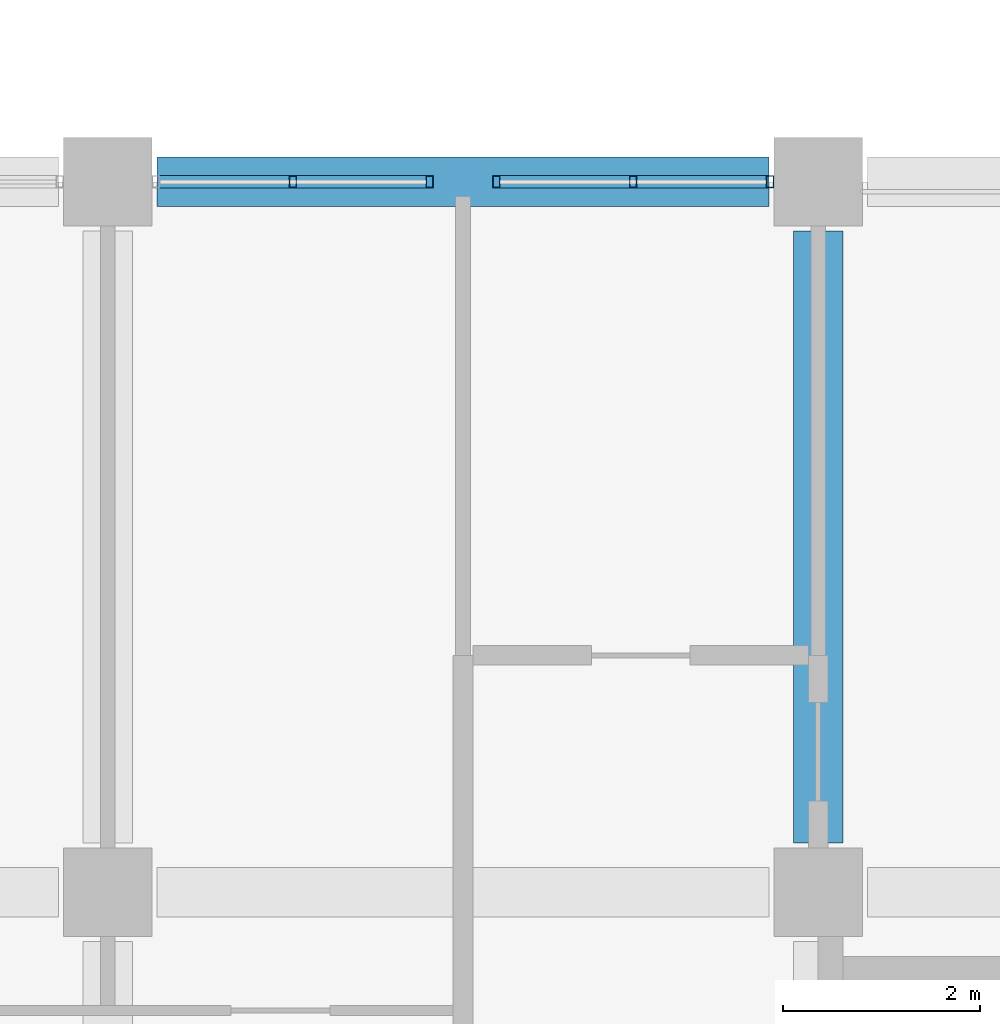
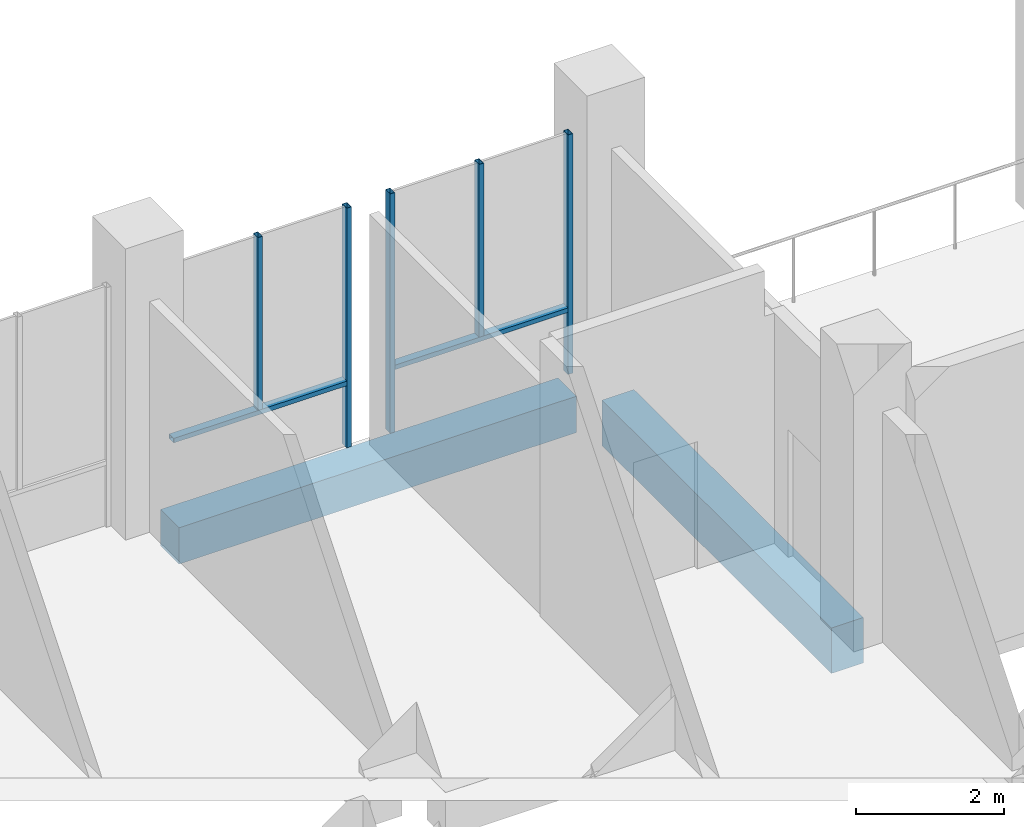
# One storey, part 5 of 40: 7 members, 2 beams, 2 elements without a shape of their own.
"""IFC4 building model written with IfcOpenShell, lengths in metres."""

import ifcopenshell
import ifcopenshell.guid

model = None  # the IFC model being written
_history = None  # IfcOwnerHistory: only IFC2X3 demands one
_inside = {}  # id of a spatial element -> (the spatial element, [elements in it])
_under = {}  # id of a project, library or spatial element -> (it, [spatial elements below it])
_declared = {}  # id of a project -> (the project, [libraries it declares])
_typed = {}  # id of a type object -> (the type object, [elements of that type])
_made_of = {}  # id of a material, layer set ... -> (it, [elements and type objects made of it])


def new_model(schema):
    """Start an empty IFC model of exactly this schema.

    Asked for "IFC4X3", IfcOpenShell would pick the latest addendum, in which some entities
    have other attributes; the version numbers below select the first issue.
    IFC2X3 requires an IfcOwnerHistory on every rooted entity: one is made here for all.
    """
    global model, _history
    if schema == "IFC4X3":
        model = ifcopenshell.file(schema_version=(4, 3, 0, 0))
    else:
        model = ifcopenshell.file(schema=schema)
    _inside.clear()
    _under.clear()
    _declared.clear()
    _typed.clear()
    _made_of.clear()
    _history = None
    if model.schema == "IFC2X3":
        org = make("IfcOrganization", Name="unknown")
        user = make(
            "IfcPersonAndOrganization",
            ThePerson=make("IfcPerson", FamilyName="unknown"),
            TheOrganization=org,
        )
        app = make(
            "IfcApplication",
            ApplicationDeveloper=org,
            Version="unknown",
            ApplicationFullName="unknown",
            ApplicationIdentifier="unknown",
        )
        _history = make(
            "IfcOwnerHistory",
            OwningUser=user,
            OwningApplication=app,
            ChangeAction="ADDED",
            CreationDate=0,
        )
    return model


def make(cls, **values):
    """One entity of the class cls with the attributes given. An attribute that is None is left unset."""
    return model.create_entity(
        cls, **{name: value for name, value in values.items() if value is not None}
    )


def rooted(cls, **values):
    """An entity with a GlobalId (a new one), such as an element, a storey or a relation."""
    return make(cls, GlobalId=ifcopenshell.guid.new(), OwnerHistory=_history, **values)


def si_unit(unit_type, name, prefix=None):
    """IfcSIUnit, for example si_unit("LENGTHUNIT", "METRE", prefix="MILLI")."""
    return make("IfcSIUnit", UnitType=unit_type, Prefix=prefix, Name=name)


def assignment(units):
    """IfcUnitAssignment: the units of a project."""
    return None if units is None else make("IfcUnitAssignment", Units=units)


def point(xyz):
    """IfcCartesianPoint."""
    return None if xyz is None else make("IfcCartesianPoint", Coordinates=xyz)


def direction(xyz):
    """IfcDirection."""
    return None if xyz is None else make("IfcDirection", DirectionRatios=xyz)


def frame(location, z_axis=None, x_axis=None):
    """IfcAxis2Placement3D, a coordinate frame: its origin and axes. An axis left out is left unset."""
    return make(
        "IfcAxis2Placement3D",
        Location=point(location),
        Axis=direction(z_axis),
        RefDirection=direction(x_axis),
    )


def frame_2d(location, x_axis=None):
    """IfcAxis2Placement2D, a coordinate frame in the plane: its origin and x axis."""
    return make(
        "IfcAxis2Placement2D", Location=point(location), RefDirection=direction(x_axis)
    )


def origin():
    """The frame at (0, 0, 0) with its axes left unset."""
    return frame((0.0, 0.0, 0.0))


def origin_2d():
    """The frame at (0, 0) in the plane with its x axis left unset."""
    return frame_2d((0.0, 0.0))


def place(relative_to, where):
    """IfcLocalPlacement: puts the frame where relative to a parent placement (None: the world)."""
    return make(
        "IfcLocalPlacement", PlacementRelTo=relative_to, RelativePlacement=where
    )


def context(
    kind, dimensions, precision=None, world=None, true_north=None, identifier=None
):
    """IfcGeometricRepresentationContext, for example the 3D "Model" context."""
    return make(
        "IfcGeometricRepresentationContext",
        ContextIdentifier=identifier,
        ContextType=kind,
        CoordinateSpaceDimension=dimensions,
        Precision=precision,
        WorldCoordinateSystem=world,
        TrueNorth=true_north,
    )


def subcontext(parent, identifier, kind, view, scale=None):
    """IfcGeometricRepresentationSubContext, for example "Body" below "Model"."""
    return make(
        "IfcGeometricRepresentationSubContext",
        ContextIdentifier=identifier,
        ContextType=kind,
        ParentContext=parent,
        TargetScale=scale,
        TargetView=view,
    )


def project(units=None, contexts=None):
    """IfcProject with its units and contexts."""
    return rooted(
        "IfcProject",
        Name="project",
        RepresentationContexts=contexts,
        UnitsInContext=assignment(units),
    )


def spatial(cls, under=None, at=None, **own):
    """A site, building, storey or space (cls), placed at a placement, below another one or the project."""
    s = rooted(cls, ObjectPlacement=at, **own)
    if under is not None:
        _under.setdefault(under.id(), (under, []))[1].append(s)
    return s


def profile(cls, at=None, kind="AREA", **sizes):
    """A parametric profile (cls). Its sizes go by their IFC names, for example OverallWidth=200.0."""
    return make(cls, ProfileType=kind, Position=at, **sizes)


def rectangle(**sizes):
    """IfcRectangleProfileDef."""
    return profile("IfcRectangleProfileDef", **sizes)


def hollow_rectangle(**sizes):
    """IfcRectangleHollowProfileDef."""
    return profile("IfcRectangleHollowProfileDef", **sizes)


def extrude(swept, where, along, depth):
    """IfcExtrudedAreaSolid: the profile swept, set in the frame where, extruded along a direction by depth."""
    return make(
        "IfcExtrudedAreaSolid",
        SweptArea=swept,
        Position=where,
        ExtrudedDirection=direction(along),
        Depth=depth,
    )


def shape(context_of_items, identifier, shape_type, items):
    """IfcShapeRepresentation: the items that make up one representation, for example the "Body"."""
    return make(
        "IfcShapeRepresentation",
        ContextOfItems=context_of_items,
        RepresentationIdentifier=identifier,
        RepresentationType=shape_type,
        Items=items,
    )


def material(Name=None, Category=None):
    """IfcMaterial."""
    return make("IfcMaterial", Name=Name, Category=Category)


def material_profile(
    of_material, cross_section, Name=None, Category=None, Priority=None
):
    """IfcMaterialProfile: a cross section and its material."""
    return make(
        "IfcMaterialProfile",
        Name=Name,
        Material=of_material,
        Profile=cross_section,
        Priority=Priority,
        Category=Category,
    )


def profile_set(profiles, Name=None, composite=None):
    """IfcMaterialProfileSet."""
    return make(
        "IfcMaterialProfileSet",
        Name=Name,
        MaterialProfiles=profiles,
        CompositeProfile=composite,
    )


def made_of(thing, what):
    """Note that an element or type object is made of a material, layer set ...; save() writes the relation."""
    if what is not None:
        _made_of.setdefault(what.id(), (what, []))[1].append(thing)
    return thing


def type_object(cls, material=None, **own):
    """A type object (cls), such as IfcWallType, which elements share."""
    return made_of(rooted(cls, **own), material)


def element(
    cls,
    number,
    at=None,
    inside=None,
    cuts=None,
    type_object=None,
    material=None,
    context=None,
    identifier="Body",
    shape_type=None,
    held_by="IfcProductDefinitionShape",
    body=None,
    shapes=None,
    **own,
):
    """One element of the class cls, such as IfcWall. Its Tag is "e" and its number.

    at: its placement. inside: the storey or other place that contains it. cuts: it is an
    opening in that element (IfcRelVoidsElement). A single representation is given by context,
    identifier, shape_type and body (its items); several are given by shapes. held_by: the class
    of the entity that holds the representations. save() writes the other relations.
    """
    e = rooted(cls, Tag="e%d" % number, ObjectPlacement=at, **own)
    if body is not None:
        shapes = [shape(context, identifier, shape_type, body)]
    if shapes is not None:
        e.Representation = make(held_by, Representations=shapes)
    if inside is not None:
        _inside.setdefault(inside.id(), (inside, []))[1].append(e)
    if cuts is not None:
        rooted(
            "IfcRelVoidsElement", RelatingBuildingElement=cuts, RelatedOpeningElement=e
        )
    if type_object is not None:
        _typed.setdefault(type_object.id(), (type_object, []))[1].append(e)
    return made_of(e, material)


def aggregate(whole, parts):
    """IfcRelAggregates: a whole, such as a stair, and the parts it consists of."""
    return rooted("IfcRelAggregates", RelatingObject=whole, RelatedObjects=parts)


def save(model, path):
    """Write the relations noted so far, then the file.

    IfcRelAggregates (storeys below a building ...), IfcRelContainedInSpatialStructure (elements
    in a storey), IfcRelDefinesByType, IfcRelAssociatesMaterial and IfcRelDeclares: one each for
    every whole, place, type object, material and project.
    """
    for whole, parts in _under.values():
        aggregate(whole, parts)
    for where, things in _inside.values():
        rooted(
            "IfcRelContainedInSpatialStructure",
            RelatedElements=things,
            RelatingStructure=where,
        )
    for kind, things in _typed.values():
        rooted("IfcRelDefinesByType", RelatedObjects=things, RelatingType=kind)
    for what, things in _made_of.values():
        rooted("IfcRelAssociatesMaterial", RelatedObjects=things, RelatingMaterial=what)
    for by, libraries in _declared.values():
        rooted("IfcRelDeclares", RelatingContext=by, RelatedDefinitions=libraries)
    model.write(path)


model = new_model("IFC4")

# Units and contexts
model_context = context("Model", 3, precision=1e-05, world=origin(), true_north=direction((0.0, 1.0)))
body_context = subcontext(model_context, "Body", "Model", "MODEL_VIEW")
ifc_project = project(units=[si_unit("LENGTHUNIT", "METRE"), si_unit("AREAUNIT", "SQUARE_METRE"), si_unit("VOLUMEUNIT", "CUBIC_METRE"), si_unit("PLANEANGLEUNIT", "RADIAN"), si_unit("MASSUNIT", "GRAM", prefix="KILO")], contexts=[model_context])

# Site, building, storey
site_placement = place(None, origin())
site = spatial("IfcSite", under=ifc_project, at=site_placement, CompositionType="ELEMENT")
building_placement = place(site_placement, origin())
building = spatial("IfcBuilding", under=site, at=building_placement, Name="Silangan Lancet Faculty of Sciences", CompositionType="ELEMENT")
storey_placement = place(building_placement, frame((0.0, 0.0, 16.800048828125)))
storey = spatial("IfcBuildingStorey", under=building, at=storey_placement, Name="L03", CompositionType="ELEMENT", Elevation=16.800048828125)

# Beams
ifc_material_1 = material(Name="Concrete C40/50", Category="concrete")
ifc_material_profile_1 = material_profile(ifc_material_1, rectangle(XDim=0.5, YDim=0.60009765625, at=origin_2d()), Name="RC 500x600")
ifc_profile_set_1 = profile_set([ifc_material_profile_1], Name="Concrete C40/50")
beam_type_1 = type_object("IfcBeamType", Name="BEAM RC 500x600", PredefinedType="BEAM", material=ifc_profile_set_1)
beam_1_placement = place(storey_placement, frame((14.89990234375, 21.60009765625, -0.550048828125), z_axis=(1.0, 0.0, 0.0), x_axis=(0.0, 1.0, 0.0)))
element("IfcBeam", 1, at=beam_1_placement, inside=storey, type_object=beam_type_1, Name="BM-L03-3D-4D", PredefinedType="BEAM", context=body_context, shape_type="SweptSolid", body=[
    extrude(rectangle(XDim=0.5, YDim=0.60009765625, at=origin_2d()), origin(), (0.0, 0.0, 1.0), 6.2001953125),
])
ifc_material_2 = material(Name="Concrete C40/50", Category="concrete")
ifc_material_profile_2 = material_profile(ifc_material_2, rectangle(XDim=0.5, YDim=0.75, at=origin_2d()), Name="RC 500x750")
ifc_profile_set_2 = profile_set([ifc_material_profile_2], Name="Concrete C40/50")
beam_type_2 = type_object("IfcBeamType", Name="BEAM RC 500x750", PredefinedType="BEAM", material=ifc_profile_set_2)
beam_2_placement = place(storey_placement, frame((21.60009765625, 14.89990234375, -0.625), z_axis=(0.0, 1.0, 0.0), x_axis=(-1.0, 0.0, 0.0)))
element("IfcBeam", 2, at=beam_2_placement, inside=storey, type_object=beam_type_2, Name="BM-L03-4C-4D", PredefinedType="BEAM", context=body_context, shape_type="SweptSolid", body=[
    extrude(rectangle(XDim=0.5, YDim=0.75, at=origin_2d()), origin(), (0.0, 0.0, 1.0), 6.2001953125),
])

# Curtain wall, members
ifc_material_3 = material(Name="Aluminium framed curtain wall with insulated glass", Category="aluminium")
curtain_wall_type = type_object("IfcCurtainWallType", Name="CW2 Atrium fire-resisting screen", PredefinedType="NOTDEFINED", material=ifc_material_3)
curtain_wall_1_placement = place(storey_placement, origin())
curtain_wall_1 = element("IfcCurtainWall", 3, at=curtain_wall_1_placement, inside=storey, type_object=curtain_wall_type, Name="CW2 Atrium south L03 bay 1", PredefinedType="NOTDEFINED")
ifc_material_4 = material(Name="Steel S355J2H", Category="steel")
ifc_material_profile_3 = material_profile(ifc_material_4, hollow_rectangle(XDim=0.074951171875, YDim=0.125, WallThickness=0.0048828125, at=origin_2d()), Name="ST BOX 75x125x5")
ifc_profile_set_3 = profile_set([ifc_material_profile_3], Name="Steel S355J2H")
member_type_1 = type_object("IfcMemberType", Name="CM2 Mullion 75x125", PredefinedType="MULLION", material=ifc_profile_set_3)
member_1_placement = place(storey_placement, frame((21.112548828125, 21.60009765625, 0.0), z_axis=(0.0, 0.0, 1.0), x_axis=(-1.0, 0.0, 0.0)))
member_1 = element("IfcMember", 4, at=member_1_placement, type_object=member_type_1, Name="CW2 Atrium south L03 bay 1 mullion 1", PredefinedType="MULLION", context=body_context, shape_type="SweptSolid", body=[
    extrude(hollow_rectangle(XDim=0.074951171875, YDim=0.125, WallThickness=0.0048828125, at=origin_2d()), origin(), (0.0, 0.0, 1.0), 3.949951171875),
])
member_2_placement = place(storey_placement, frame((18.33740234375, 21.60009765625, 0.0), z_axis=(0.0, 0.0, 1.0), x_axis=(-1.0, 0.0, 0.0)))
member_2 = element("IfcMember", 5, at=member_2_placement, type_object=member_type_1, Name="CW2 Atrium south L03 bay 1 mullion 2", PredefinedType="MULLION", context=body_context, shape_type="SweptSolid", body=[
    extrude(hollow_rectangle(XDim=0.074951171875, YDim=0.125, WallThickness=0.0048828125, at=origin_2d()), origin(), (0.0, 0.0, 1.0), 3.949951171875),
])
member_3_placement = place(storey_placement, frame((19.72509765625, 21.60009765625, 1.099853515625), z_axis=(0.0, 0.0, 1.0), x_axis=(-1.0, 0.0, 0.0)))
member_3 = element("IfcMember", 6, at=member_3_placement, type_object=member_type_1, Name="CW2 Atrium south L03 bay 1 mullion 3", PredefinedType="MULLION", context=body_context, shape_type="SweptSolid", body=[
    extrude(hollow_rectangle(XDim=0.074951171875, YDim=0.125, WallThickness=0.0048828125, at=origin_2d()), origin(), (0.0, 0.0, 1.0), 2.85009765625),
])

curtain_wall_2_placement = place(storey_placement, origin())
curtain_wall_2 = element("IfcCurtainWall", 7, at=curtain_wall_2_placement, inside=storey, type_object=curtain_wall_type, Name="CW2 Atrium south L03 bay 2", PredefinedType="NOTDEFINED")
member_4_placement = place(storey_placement, frame((17.66259765625, 21.60009765625, 0.0), z_axis=(0.0, 0.0, 1.0), x_axis=(-1.0, 0.0, 0.0)))
member_4 = element("IfcMember", 8, at=member_4_placement, type_object=member_type_1, Name="CW2 Atrium south L03 bay 2 mullion 1", PredefinedType="MULLION", context=body_context, shape_type="SweptSolid", body=[
    extrude(hollow_rectangle(XDim=0.074951171875, YDim=0.125, WallThickness=0.0048828125, at=origin_2d()), origin(), (0.0, 0.0, 1.0), 3.949951171875),
])
member_5_placement = place(storey_placement, frame((16.27490234375, 21.60009765625, 1.099853515625), z_axis=(0.0, 0.0, 1.0), x_axis=(-1.0, 0.0, 0.0)))
member_5 = element("IfcMember", 9, at=member_5_placement, type_object=member_type_1, Name="CW2 Atrium south L03 bay 2 mullion 3", PredefinedType="MULLION", context=body_context, shape_type="SweptSolid", body=[
    extrude(hollow_rectangle(XDim=0.074951171875, YDim=0.125, WallThickness=0.0048828125, at=origin_2d()), origin(), (0.0, 0.0, 1.0), 2.85009765625),
])

# Member
ifc_material_5 = material(Name="Steel S355J2H", Category="steel")
ifc_material_profile_4 = material_profile(ifc_material_5, hollow_rectangle(XDim=0.125, YDim=0.074951171875, WallThickness=0.0048828125, at=origin_2d()), Name="ST BOX 125x75x5")
ifc_profile_set_4 = profile_set([ifc_material_profile_4], Name="Steel S355J2H")
member_type_2 = type_object("IfcMemberType", Name="CT2 Transom 125x75", PredefinedType="USERDEFINED", material=ifc_profile_set_4)
member_6_placement = place(storey_placement, frame((21.074951171875, 21.60009765625, 1.0625), z_axis=(-1.0, 0.0, 0.0), x_axis=(0.0, -1.0, 0.0)))
member_6 = element("IfcMember", 10, at=member_6_placement, type_object=member_type_2, Name="CW2 Atrium south L03 bay 1 transom 1", ObjectType="TRANSOM", PredefinedType="USERDEFINED", context=body_context, shape_type="SweptSolid", body=[
    extrude(hollow_rectangle(XDim=0.125, YDim=0.074951171875, WallThickness=0.0048828125, at=origin_2d()), origin(), (0.0, 0.0, 1.0), 2.699951171875),
])

aggregate(curtain_wall_1, [member_1, member_2, member_3, member_6])

member_7_placement = place(storey_placement, frame((17.625, 21.60009765625, 1.0625), z_axis=(-1.0, 0.0, 0.0), x_axis=(0.0, -1.0, 0.0)))
member_7 = element("IfcMember", 11, at=member_7_placement, type_object=member_type_2, Name="CW2 Atrium south L03 bay 2 transom 1", ObjectType="TRANSOM", PredefinedType="USERDEFINED", context=body_context, shape_type="SweptSolid", body=[
    extrude(hollow_rectangle(XDim=0.125, YDim=0.074951171875, WallThickness=0.0048828125, at=origin_2d()), origin(), (0.0, 0.0, 1.0), 2.699951171875),
])

aggregate(curtain_wall_2, [member_4, member_5, member_7])

save(model, "model.ifc")
